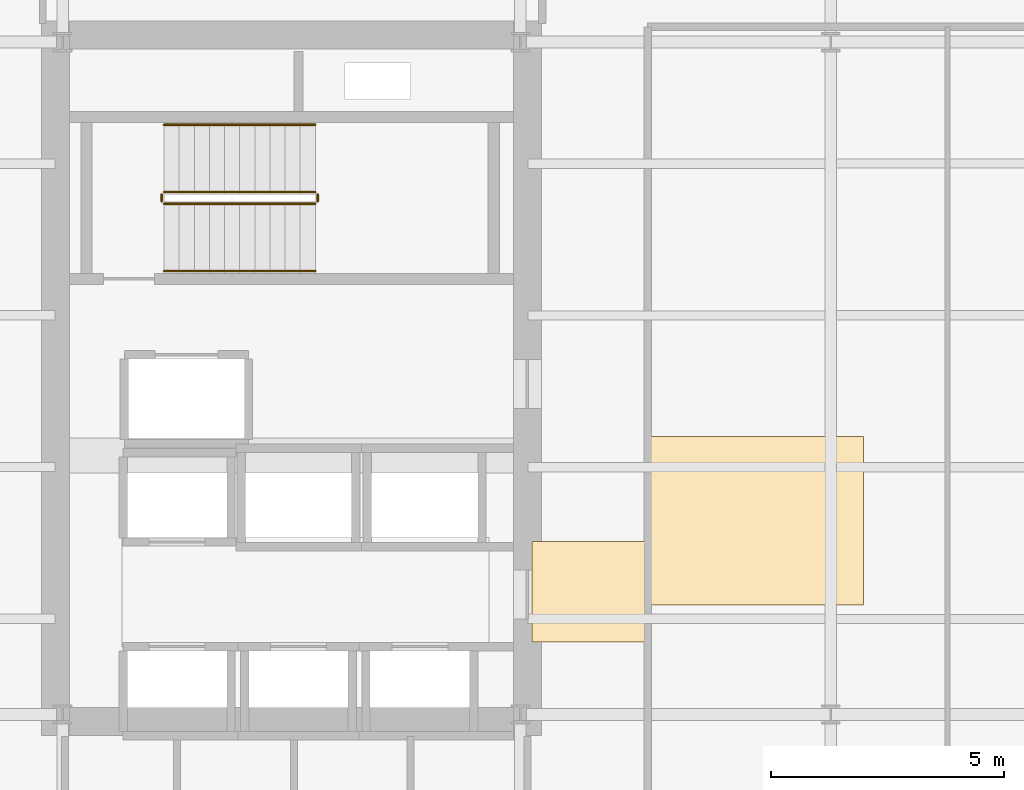
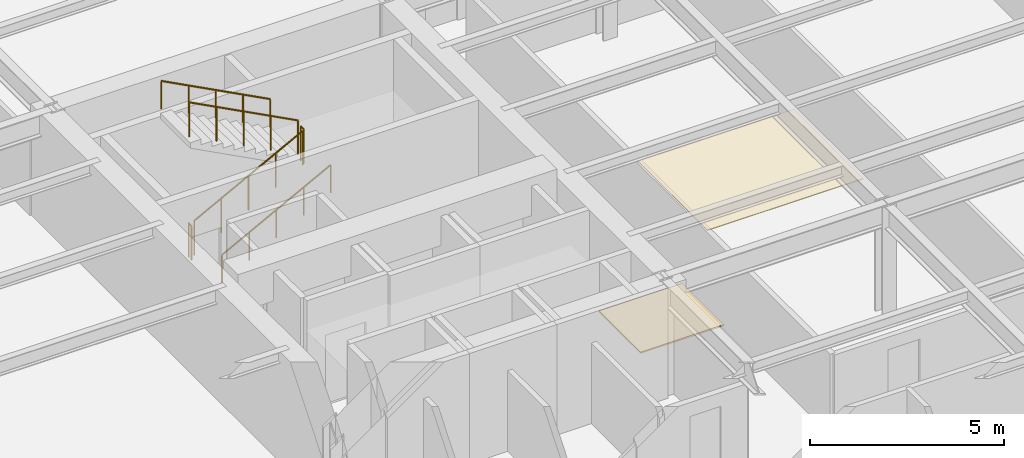
# One storey, part 9 of 12: 6 railings, 2 coverings.
"""IFC4 building model written with IfcOpenShell, lengths in metres."""

from ifc_helpers import new_model, si_unit, direction, frame, origin, origin_2d, place, context, subcontext, project, spatial, polyline, circle, outline, extrude, material, layer, layer_set, type_object, element, save


model = new_model("IFC4")

# Units and contexts
model_context = context("Model", 3, precision=1e-05, world=origin(), true_north=direction((0.0, 1.0)))
body_context = subcontext(model_context, "Body", "Model", "MODEL_VIEW")
ifc_project = project(units=[si_unit("LENGTHUNIT", "METRE"), si_unit("AREAUNIT", "SQUARE_METRE"), si_unit("VOLUMEUNIT", "CUBIC_METRE"), si_unit("PLANEANGLEUNIT", "RADIAN"), si_unit("MASSUNIT", "GRAM", prefix="KILO")], contexts=[model_context])

# Site, building, storey
site_placement = place(None, origin())
site = spatial("IfcSite", under=ifc_project, at=site_placement, CompositionType="ELEMENT")
building_placement = place(site_placement, origin())
building = spatial("IfcBuilding", under=site, at=building_placement, Name="Kolvaren Arena Tower", CompositionType="ELEMENT")
storey_placement = place(building_placement, frame((0.0, 0.0, 177.199951171875)))
storey = spatial("IfcBuildingStorey", under=building, at=storey_placement, Name="L42", CompositionType="ELEMENT", Elevation=177.199951171875)

# Coverings
ifc_material_1 = material(Name="Mineral fibre acoustic ceiling tile", Category="gypsum")
ifc_layer_1 = layer(ifc_material_1, 0.02490234375)
ifc_layer_set_1 = layer_set([ifc_layer_1], Name="Mineral fibre acoustic ceiling tile")
covering_type_1 = type_object("IfcCoveringType", Name="CEIL-ACT-1", PredefinedType="CEILING", material=ifc_layer_set_1)
covering_1_placement = place(storey_placement, frame((0.0, 0.0, 2.52001953125)))
element("IfcCovering", 1, at=covering_1_placement, inside=storey, type_object=covering_type_1, Name="Suspended Ceiling (L42)", PredefinedType="CEILING", context=body_context, shape_type="SweptSolid", body=[
    extrude(outline(polyline([(27.050048828125, 21.800048828125), (27.050048828125, 25.39990234375), (31.699951171875, 25.39990234375), (31.699951171875, 21.800048828125), (27.050048828125, 21.800048828125)])), origin(), (0.0, 0.0, 1.0), 0.025146484375),
])
ifc_material_2 = material(Name="Raised access office floor finish", Category="aluminium")
ifc_layer_2 = layer(ifc_material_2, 0.044921875)
ifc_layer_set_2 = layer_set([ifc_layer_2], Name="Raised access office floor finish")
covering_type_2 = type_object("IfcCoveringType", Name="FLOR-RAF-1", PredefinedType="FLOORING", material=ifc_layer_set_2)
covering_2_placement = place(storey_placement, origin())
element("IfcCovering", 2, at=covering_2_placement, inside=storey, type_object=covering_type_2, Name="Floor Finish (L42)", PredefinedType="FLOORING", context=body_context, shape_type="SweptSolid", body=[
    extrude(outline(polyline([(24.60009765625, 21.0), (24.60009765625, 23.14990234375), (27.080078125, 23.14990234375), (27.080078125, 21.0), (24.60009765625, 21.0)])), origin(), (0.0, 0.0, 1.0), 0.045166015625),
])

# Railings
ifc_material_3 = material(Name="Painted galvanized steel", Category="steel")
railing_type_1 = type_object("IfcRailingType", Name="GUARD-ST-110", PredefinedType="GUARDRAIL", material=ifc_material_3)
railing_1_placement = place(storey_placement, frame((16.719970703125, 30.389892578125, 0.17041015625)))
element("IfcRailing", 3, at=railing_1_placement, inside=storey, type_object=railing_type_1, Name="L42 ST-W1 stair guard 1", PredefinedType="GUARDRAIL", context=body_context, shape_type="SweptSolid", body=[
    extrude(circle(Radius=0.02392578125, at=origin_2d()), frame((0.0, 0.0, 1.076171875), z_axis=(0.884993431791, 0.0, 0.465603506952), x_axis=(0.0, 1.0, 0.0)), (0.0, 0.0, 1.0), 3.6611328125),
    extrude(circle(Radius=0.02099609375, at=origin_2d()), origin(), (0.0, 0.0, 1.0), 1.052001953125),
    extrude(circle(Radius=0.02099609375, at=origin_2d()), frame((0.81005859375, 0.0, 0.42626953125)), (0.0, 0.0, 1.0), 1.052001953125),
    extrude(circle(Radius=0.02099609375, at=origin_2d()), frame((1.6201171875, 0.0, 0.852294921875)), (0.0, 0.0, 1.0), 1.052001953125),
    extrude(circle(Radius=0.02099609375, at=origin_2d()), frame((2.429931640625, 0.0, 1.2783203125)), (0.0, 0.0, 1.0), 1.052001953125),
    extrude(circle(Radius=0.02099609375, at=origin_2d()), frame((3.239990234375, 0.0, 1.70458984375)), (0.0, 0.0, 1.0), 1.052001953125),
])
railing_2_placement = place(storey_placement, frame((20.010009765625, 30.43994140625, 1.875)))
element("IfcRailing", 4, at=railing_2_placement, inside=storey, type_object=railing_type_1, Name="L42 ST-W1 stair guard 2", PredefinedType="GUARDRAIL", context=body_context, shape_type="SweptSolid", body=[
    extrude(circle(Radius=0.02392578125, at=origin_2d()), frame((0.0, 0.0, 1.076171875), z_axis=(0.0, 1.0, 0.0), x_axis=(-1.0, 0.0, 0.0)), (0.0, 0.0, 1.0), 0.150146484375),
    extrude(circle(Radius=0.02099609375, at=origin_2d()), origin(), (0.0, 0.0, 1.0), 1.052001953125),
    extrude(circle(Radius=0.02099609375, at=origin_2d()), frame((0.0, 0.150146484375, 0.0)), (0.0, 0.0, 1.0), 1.052001953125),
])
railing_3_placement = place(storey_placement, frame((19.9599609375, 30.639892578125, 2.04541015625)))
element("IfcRailing", 5, at=railing_3_placement, inside=storey, type_object=railing_type_1, Name="L42 ST-W1 stair guard 3", PredefinedType="GUARDRAIL", context=body_context, shape_type="SweptSolid", body=[
    extrude(circle(Radius=0.02392578125, at=origin_2d()), frame((0.0, 0.0, 1.076171875), z_axis=(-0.884993431791, 0.0, 0.465603506952), x_axis=(0.0, -1.0, 0.0)), (0.0, 0.0, 1.0), 3.6611328125),
    extrude(circle(Radius=0.02099609375, at=origin_2d()), origin(), (0.0, 0.0, 1.0), 1.052001953125),
    extrude(circle(Radius=0.02099609375, at=origin_2d()), frame((-0.81005859375, 0.0, 0.42626953125)), (0.0, 0.0, 1.0), 1.052001953125),
    extrude(circle(Radius=0.02099609375, at=origin_2d()), frame((-1.6201171875, 0.0, 0.852294921875)), (0.0, 0.0, 1.0), 1.052001953125),
    extrude(circle(Radius=0.02099609375, at=origin_2d()), frame((-2.429931640625, 0.0, 1.2783203125)), (0.0, 0.0, 1.0), 1.052001953125),
    extrude(circle(Radius=0.02099609375, at=origin_2d()), frame((-3.239990234375, 0.0, 1.70458984375)), (0.0, 0.0, 1.0), 1.052001953125),
])
railing_4_placement = place(storey_placement, frame((16.669921875, 30.43994140625, 0.0)))
element("IfcRailing", 6, at=railing_4_placement, inside=storey, type_object=railing_type_1, Name="L42 ST-W1 stair guard 4", PredefinedType="GUARDRAIL", context=body_context, shape_type="SweptSolid", body=[
    extrude(circle(Radius=0.02392578125, at=origin_2d()), frame((0.0, 0.0, 1.076171875), z_axis=(0.0, 1.0, 0.0), x_axis=(-1.0, 0.0, 0.0)), (0.0, 0.0, 1.0), 0.150146484375),
    extrude(circle(Radius=0.02099609375, at=origin_2d()), origin(), (0.0, 0.0, 1.0), 1.052001953125),
    extrude(circle(Radius=0.02099609375, at=origin_2d()), frame((0.0, 0.150146484375, 0.0)), (0.0, 0.0, 1.0), 1.052001953125),
])
ifc_material_4 = material(Name="Brushed stainless steel handrail", Category="steel")
railing_type_2 = type_object("IfcRailingType", Name="HRAIL-900", PredefinedType="HANDRAIL", material=ifc_material_4)
railing_5_placement = place(storey_placement, frame((16.719970703125, 28.949951171875, 0.17041015625)))
element("IfcRailing", 7, at=railing_5_placement, inside=storey, type_object=railing_type_2, Name="L42 ST-W1 stair handrail 1", PredefinedType="HANDRAIL", context=body_context, shape_type="SweptSolid", body=[
    extrude(circle(Radius=0.02392578125, at=origin_2d()), frame((0.0, 0.0, 0.8759765625), z_axis=(0.884993431791, 0.0, 0.465603506952), x_axis=(0.0, 1.0, 0.0)), (0.0, 0.0, 1.0), 3.6611328125),
    extrude(circle(Radius=0.02099609375, at=origin_2d()), origin(), (0.0, 0.0, 1.0), 0.851806640625),
    extrude(circle(Radius=0.02099609375, at=origin_2d()), frame((0.81005859375, 0.0, 0.42626953125)), (0.0, 0.0, 1.0), 0.851806640625),
    extrude(circle(Radius=0.02099609375, at=origin_2d()), frame((1.6201171875, 0.0, 0.852294921875)), (0.0, 0.0, 1.0), 0.851806640625),
    extrude(circle(Radius=0.02099609375, at=origin_2d()), frame((2.429931640625, 0.0, 1.2783203125)), (0.0, 0.0, 1.0), 0.851806640625),
    extrude(circle(Radius=0.02099609375, at=origin_2d()), frame((3.239990234375, 0.0, 1.70458984375)), (0.0, 0.0, 1.0), 0.851806640625),
])
railing_6_placement = place(storey_placement, frame((19.9599609375, 32.080078125, 2.04541015625)))
element("IfcRailing", 8, at=railing_6_placement, inside=storey, type_object=railing_type_2, Name="L42 ST-W1 stair handrail 2", PredefinedType="HANDRAIL", context=body_context, shape_type="SweptSolid", body=[
    extrude(circle(Radius=0.02392578125, at=origin_2d()), frame((0.0, 0.0, 0.8759765625), z_axis=(-0.884993431791, 0.0, 0.465603506952), x_axis=(0.0, -1.0, 0.0)), (0.0, 0.0, 1.0), 3.6611328125),
    extrude(circle(Radius=0.02099609375, at=origin_2d()), origin(), (0.0, 0.0, 1.0), 0.851806640625),
    extrude(circle(Radius=0.02099609375, at=origin_2d()), frame((-0.81005859375, 0.0, 0.42626953125)), (0.0, 0.0, 1.0), 0.851806640625),
    extrude(circle(Radius=0.02099609375, at=origin_2d()), frame((-1.6201171875, 0.0, 0.852294921875)), (0.0, 0.0, 1.0), 0.851806640625),
    extrude(circle(Radius=0.02099609375, at=origin_2d()), frame((-2.429931640625, 0.0, 1.2783203125)), (0.0, 0.0, 1.0), 0.851806640625),
    extrude(circle(Radius=0.02099609375, at=origin_2d()), frame((-3.239990234375, 0.0, 1.70458984375)), (0.0, 0.0, 1.0), 0.851806640625),
])

save(model, "model.ifc")
